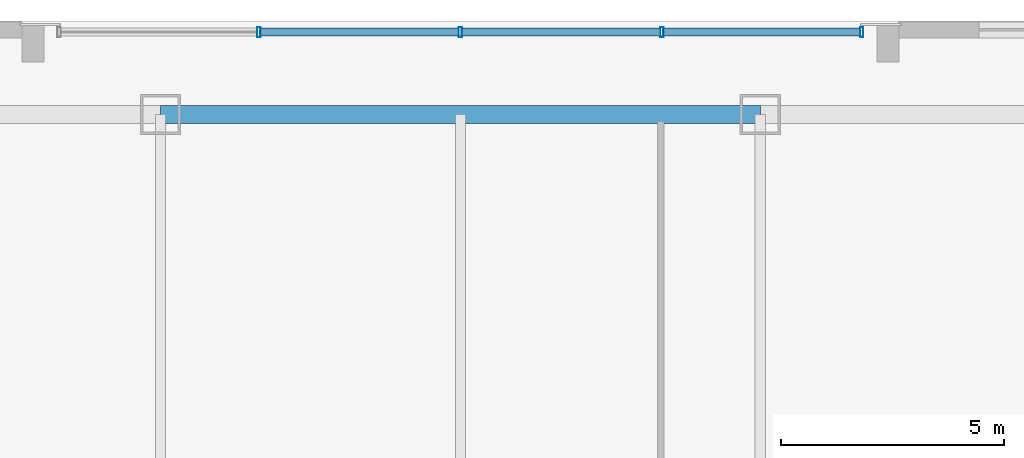
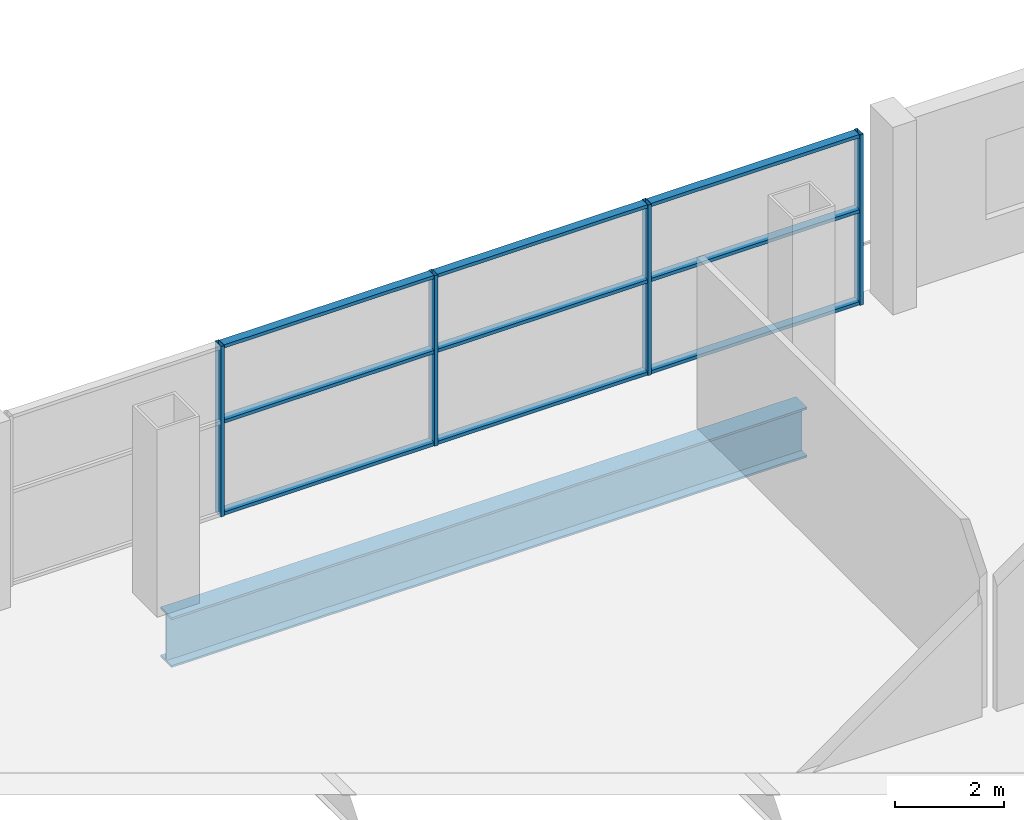
# One storey, part 10 of 21: 13 members, 1 beam, 1 element without a shape of its own.
"""IFC4 building model written with IfcOpenShell, lengths in metres."""

from ifc_helpers import new_model, si_unit, direction, frame, origin, origin_2d, place, context, subcontext, project, spatial, hollow_rectangle, i_section, extrude, material, layer, layer_set, material_profile, profile_set, type_object, element, aggregate, save


model = new_model("IFC4")

# Units and contexts
model_context = context("Model", 3, precision=1e-05, world=origin(), true_north=direction((0.0, 1.0)))
body_context = subcontext(model_context, "Body", "Model", "MODEL_VIEW")
ifc_project = project(units=[si_unit("LENGTHUNIT", "METRE"), si_unit("AREAUNIT", "SQUARE_METRE"), si_unit("VOLUMEUNIT", "CUBIC_METRE"), si_unit("PLANEANGLEUNIT", "RADIAN"), si_unit("MASSUNIT", "GRAM", prefix="KILO")], contexts=[model_context])

# Site, building, storey
site_placement = place(None, origin())
site = spatial("IfcSite", under=ifc_project, at=site_placement, CompositionType="ELEMENT")
building_placement = place(site_placement, origin())
building = spatial("IfcBuilding", under=site, at=building_placement, Name="Qhalaya Broadcast Tower", CompositionType="ELEMENT")
storey_placement = place(building_placement, frame((0.0, 0.0, 17.699951171875)))
storey = spatial("IfcBuildingStorey", under=building, at=storey_placement, Name="L04", CompositionType="ELEMENT", Elevation=17.699951171875)

# Beam
ifc_material_1 = material(Name="Structural Steel ASTM A992 Grade 50", Category="steel")
ifc_material_profile_1 = material_profile(ifc_material_1, i_section(OverallWidth=0.404052734375, OverallDepth=1.117919921875, WebThickness=0.026123046875, FlangeThickness=0.044921875, at=origin_2d()), Name="W44X335")
ifc_profile_set_1 = profile_set([ifc_material_profile_1], Name="Structural Steel ASTM A992 Grade 50")
beam_type = type_object("IfcBeamType", Name="Podium Long-Span Primary Girder PG1", PredefinedType="USERDEFINED", material=ifc_profile_set_1)
beam_placement = place(storey_placement, frame((6.7333984375, 25.89990234375, -0.87890625), z_axis=(-1.0, 0.0, 0.0), x_axis=(0.0, -1.0, 0.0)))
element("IfcBeam", 1, at=beam_placement, inside=storey, type_object=beam_type, Name="L04 PG1 L04-PG-R10", ObjectType="GIRDER", PredefinedType="USERDEFINED", context=body_context, shape_type="SweptSolid", body=[
    extrude(i_section(OverallWidth=0.404052734375, OverallDepth=1.117919921875, WebThickness=0.026123046875, FlangeThickness=0.044921875, at=origin_2d()), origin(), (0.0, 0.0, 1.0), 13.466796875),
])

# Curtain wall, members
ifc_material_2 = material(Name="Solar-Control Low-E Triple Glazing", Category="glass")
ifc_layer = layer(ifc_material_2, 0.219970703125, Name="Solar-Control Low-E Triple Glazing")
ifc_layer_set = layer_set([ifc_layer], Name="Solar-Control Low-E Triple Glazing")
curtain_wall_type = type_object("IfcCurtainWallType", Name="Podium Concourse Triple-Height Glazed Portal CW-01", PredefinedType="NOTDEFINED", material=ifc_layer_set)
curtain_wall_placement = place(storey_placement, origin())
curtain_wall = element("IfcCurtainWall", 2, at=curtain_wall_placement, inside=storey, type_object=curtain_wall_type, Name="L04 Unitised Curtain Wall L04-CW01-N", PredefinedType="NOTDEFINED")
ifc_material_3 = material(Name="Anodised Aluminium 6063-T6", Category="aluminium")
ifc_material_profile_2 = material_profile(ifc_material_3, hollow_rectangle(XDim=0.074951171875, YDim=0.219970703125, WallThickness=0.00390625, at=origin_2d()), Name="ALU-MUL 75x220x4")
ifc_profile_set_2 = profile_set([ifc_material_profile_2], Name="Anodised Aluminium 6063-T6")
member_type_1 = type_object("IfcMemberType", Name="Unitised Curtain-Wall Mullion M01", PredefinedType="MULLION", material=ifc_profile_set_2)
member_1_placement = place(storey_placement, frame((9.012451171875, 27.75, 0.0), z_axis=(0.0, 0.0, 1.0), x_axis=(-1.0, 0.0, 0.0)))
member_1 = element("IfcMember", 3, at=member_1_placement, type_object=member_type_1, Name="CW-01 mullion 1", PredefinedType="MULLION", context=body_context, shape_type="SweptSolid", body=[
    extrude(hollow_rectangle(XDim=0.074951171875, YDim=0.219970703125, WallThickness=0.00390625, at=origin_2d()), origin(), (0.0, 0.0, 1.0), 3.820068359375),
])
member_2_placement = place(storey_placement, frame((4.52490234375, 27.75, 0.0), z_axis=(0.0, 0.0, 1.0), x_axis=(-1.0, 0.0, 0.0)))
member_2 = element("IfcMember", 4, at=member_2_placement, type_object=member_type_1, Name="CW-01 mullion 2", PredefinedType="MULLION", context=body_context, shape_type="SweptSolid", body=[
    extrude(hollow_rectangle(XDim=0.074951171875, YDim=0.219970703125, WallThickness=0.00390625, at=origin_2d()), origin(), (0.0, 0.0, 1.0), 3.820068359375),
])
member_3_placement = place(storey_placement, frame((0.0, 27.75, 0.0), z_axis=(0.0, 0.0, 1.0), x_axis=(-1.0, 0.0, 0.0)))
member_3 = element("IfcMember", 5, at=member_3_placement, type_object=member_type_1, Name="CW-01 mullion 3", PredefinedType="MULLION", context=body_context, shape_type="SweptSolid", body=[
    extrude(hollow_rectangle(XDim=0.074951171875, YDim=0.219970703125, WallThickness=0.00390625, at=origin_2d()), origin(), (0.0, 0.0, 1.0), 3.820068359375),
])
member_4_placement = place(storey_placement, frame((-4.52490234375, 27.75, 0.0), z_axis=(0.0, 0.0, 1.0), x_axis=(-1.0, 0.0, 0.0)))
member_4 = element("IfcMember", 6, at=member_4_placement, type_object=member_type_1, Name="CW-01 mullion 4", PredefinedType="MULLION", context=body_context, shape_type="SweptSolid", body=[
    extrude(hollow_rectangle(XDim=0.074951171875, YDim=0.219970703125, WallThickness=0.00390625, at=origin_2d()), origin(), (0.0, 0.0, 1.0), 3.820068359375),
])
ifc_material_profile_3 = material_profile(ifc_material_3, hollow_rectangle(XDim=0.074951171875, YDim=0.179931640625, WallThickness=0.00390625, at=origin_2d()), Name="ALU-TRN 75x180x4")
ifc_profile_set_3 = profile_set([ifc_material_profile_3], Name="Anodised Aluminium 6063-T6")
member_type_2 = type_object("IfcMemberType", Name="Unitised Curtain-Wall Transom T01", PredefinedType="USERDEFINED", material=ifc_profile_set_3)
member_5_placement = place(storey_placement, frame((8.97509765625, 27.75, 0.03759765625), z_axis=(-1.0, 0.0, 0.0), x_axis=(0.0, 0.0, 1.0)))
member_5 = element("IfcMember", 7, at=member_5_placement, type_object=member_type_2, Name="CW-01 transom 1.1", ObjectType="TRANSOM", PredefinedType="USERDEFINED", context=body_context, shape_type="SweptSolid", body=[
    extrude(hollow_rectangle(XDim=0.074951171875, YDim=0.179931640625, WallThickness=0.00390625, at=origin_2d()), origin(), (0.0, 0.0, 1.0), 4.41259765625),
])
member_6_placement = place(storey_placement, frame((8.97509765625, 27.75, 2.10107421875), z_axis=(-1.0, 0.0, 0.0), x_axis=(0.0, 0.0, 1.0)))
member_6 = element("IfcMember", 8, at=member_6_placement, type_object=member_type_2, Name="CW-01 transom 1.2", ObjectType="TRANSOM", PredefinedType="USERDEFINED", context=body_context, shape_type="SweptSolid", body=[
    extrude(hollow_rectangle(XDim=0.074951171875, YDim=0.179931640625, WallThickness=0.00390625, at=origin_2d()), origin(), (0.0, 0.0, 1.0), 4.41259765625),
])
member_7_placement = place(storey_placement, frame((8.97509765625, 27.75, 3.782470703125), z_axis=(-1.0, 0.0, 0.0), x_axis=(0.0, 0.0, 1.0)))
member_7 = element("IfcMember", 9, at=member_7_placement, type_object=member_type_2, Name="CW-01 transom 1.3", ObjectType="TRANSOM", PredefinedType="USERDEFINED", context=body_context, shape_type="SweptSolid", body=[
    extrude(hollow_rectangle(XDim=0.074951171875, YDim=0.179931640625, WallThickness=0.00390625, at=origin_2d()), origin(), (0.0, 0.0, 1.0), 4.41259765625),
])
member_8_placement = place(storey_placement, frame((4.487548828125, 27.75, 0.03759765625), z_axis=(-1.0, 0.0, 0.0), x_axis=(0.0, 0.0, 1.0)))
member_8 = element("IfcMember", 10, at=member_8_placement, type_object=member_type_2, Name="CW-01 transom 2.1", ObjectType="TRANSOM", PredefinedType="USERDEFINED", context=body_context, shape_type="SweptSolid", body=[
    extrude(hollow_rectangle(XDim=0.074951171875, YDim=0.179931640625, WallThickness=0.00390625, at=origin_2d()), origin(), (0.0, 0.0, 1.0), 4.449951171875),
])
member_9_placement = place(storey_placement, frame((4.487548828125, 27.75, 2.10107421875), z_axis=(-1.0, 0.0, 0.0), x_axis=(0.0, 0.0, 1.0)))
member_9 = element("IfcMember", 11, at=member_9_placement, type_object=member_type_2, Name="CW-01 transom 2.2", ObjectType="TRANSOM", PredefinedType="USERDEFINED", context=body_context, shape_type="SweptSolid", body=[
    extrude(hollow_rectangle(XDim=0.074951171875, YDim=0.179931640625, WallThickness=0.00390625, at=origin_2d()), origin(), (0.0, 0.0, 1.0), 4.449951171875),
])
member_10_placement = place(storey_placement, frame((4.487548828125, 27.75, 3.782470703125), z_axis=(-1.0, 0.0, 0.0), x_axis=(0.0, 0.0, 1.0)))
member_10 = element("IfcMember", 12, at=member_10_placement, type_object=member_type_2, Name="CW-01 transom 2.3", ObjectType="TRANSOM", PredefinedType="USERDEFINED", context=body_context, shape_type="SweptSolid", body=[
    extrude(hollow_rectangle(XDim=0.074951171875, YDim=0.179931640625, WallThickness=0.00390625, at=origin_2d()), origin(), (0.0, 0.0, 1.0), 4.449951171875),
])
member_11_placement = place(storey_placement, frame((-0.03759765625, 27.75, 0.03759765625), z_axis=(-1.0, 0.0, 0.0), x_axis=(0.0, 0.0, 1.0)))
member_11 = element("IfcMember", 13, at=member_11_placement, type_object=member_type_2, Name="CW-01 transom 3.1", ObjectType="TRANSOM", PredefinedType="USERDEFINED", context=body_context, shape_type="SweptSolid", body=[
    extrude(hollow_rectangle(XDim=0.074951171875, YDim=0.179931640625, WallThickness=0.00390625, at=origin_2d()), origin(), (0.0, 0.0, 1.0), 4.449951171875),
])
member_12_placement = place(storey_placement, frame((-0.03759765625, 27.75, 2.10107421875), z_axis=(-1.0, 0.0, 0.0), x_axis=(0.0, 0.0, 1.0)))
member_12 = element("IfcMember", 14, at=member_12_placement, type_object=member_type_2, Name="CW-01 transom 3.2", ObjectType="TRANSOM", PredefinedType="USERDEFINED", context=body_context, shape_type="SweptSolid", body=[
    extrude(hollow_rectangle(XDim=0.074951171875, YDim=0.179931640625, WallThickness=0.00390625, at=origin_2d()), origin(), (0.0, 0.0, 1.0), 4.449951171875),
])
member_13_placement = place(storey_placement, frame((-0.03759765625, 27.75, 3.782470703125), z_axis=(-1.0, 0.0, 0.0), x_axis=(0.0, 0.0, 1.0)))
member_13 = element("IfcMember", 15, at=member_13_placement, type_object=member_type_2, Name="CW-01 transom 3.3", ObjectType="TRANSOM", PredefinedType="USERDEFINED", context=body_context, shape_type="SweptSolid", body=[
    extrude(hollow_rectangle(XDim=0.074951171875, YDim=0.179931640625, WallThickness=0.00390625, at=origin_2d()), origin(), (0.0, 0.0, 1.0), 4.449951171875),
])
aggregate(curtain_wall, [member_1, member_2, member_3, member_4, member_5, member_6, member_7, member_8, member_9, member_10, member_11, member_12, member_13])

save(model, "model.ifc")
